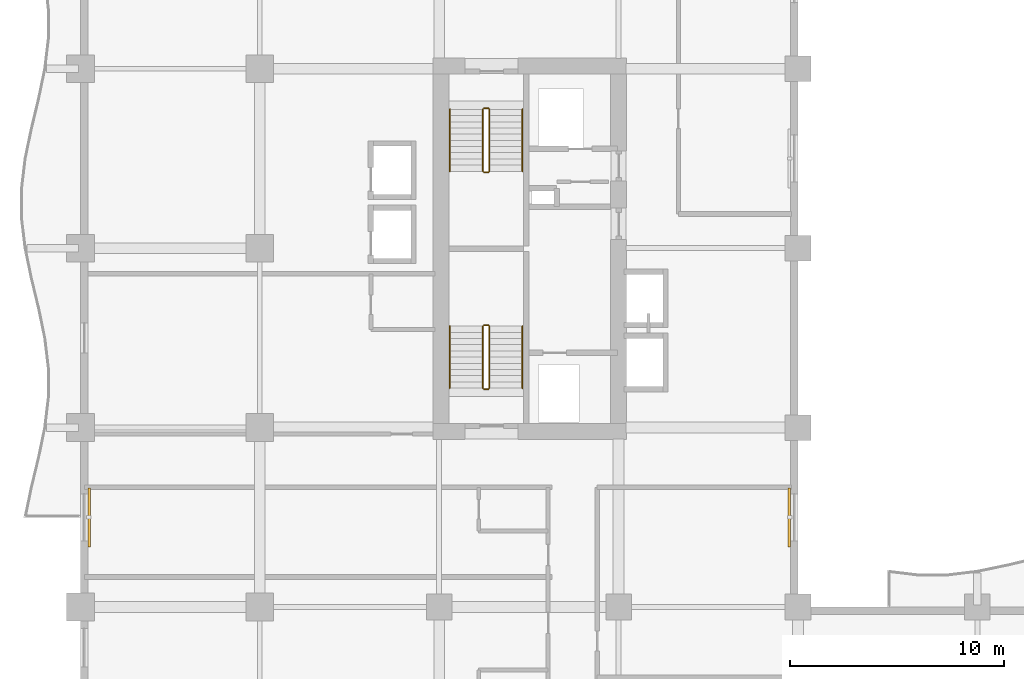
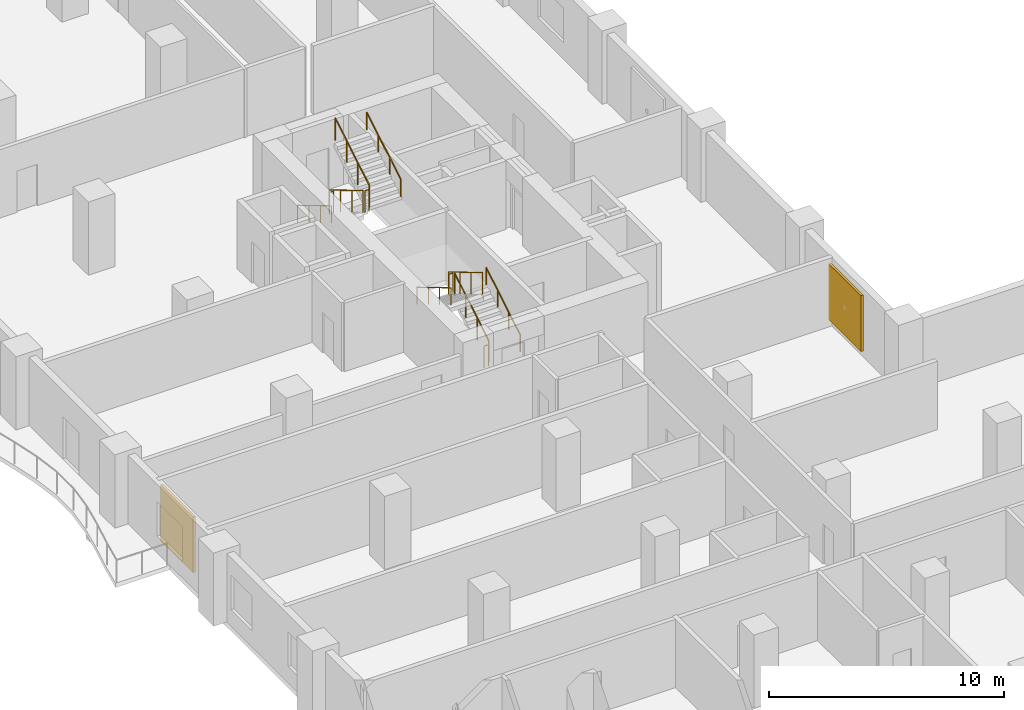
# One storey, part 17 of 18: 12 railings, 2 shading devices.
"""IFC4 building model written with IfcOpenShell, lengths in metres."""

import ifcopenshell
import ifcopenshell.guid

model = None  # the IFC model being written
_history = None  # IfcOwnerHistory: only IFC2X3 demands one
_inside = {}  # id of a spatial element -> (the spatial element, [elements in it])
_under = {}  # id of a project, library or spatial element -> (it, [spatial elements below it])
_declared = {}  # id of a project -> (the project, [libraries it declares])
_typed = {}  # id of a type object -> (the type object, [elements of that type])
_made_of = {}  # id of a material, layer set ... -> (it, [elements and type objects made of it])


def new_model(schema):
    """Start an empty IFC model of exactly this schema.

    Asked for "IFC4X3", IfcOpenShell would pick the latest addendum, in which some entities
    have other attributes; the version numbers below select the first issue.
    IFC2X3 requires an IfcOwnerHistory on every rooted entity: one is made here for all.
    """
    global model, _history
    if schema == "IFC4X3":
        model = ifcopenshell.file(schema_version=(4, 3, 0, 0))
    else:
        model = ifcopenshell.file(schema=schema)
    _inside.clear()
    _under.clear()
    _declared.clear()
    _typed.clear()
    _made_of.clear()
    _history = None
    if model.schema == "IFC2X3":
        org = make("IfcOrganization", Name="unknown")
        user = make(
            "IfcPersonAndOrganization",
            ThePerson=make("IfcPerson", FamilyName="unknown"),
            TheOrganization=org,
        )
        app = make(
            "IfcApplication",
            ApplicationDeveloper=org,
            Version="unknown",
            ApplicationFullName="unknown",
            ApplicationIdentifier="unknown",
        )
        _history = make(
            "IfcOwnerHistory",
            OwningUser=user,
            OwningApplication=app,
            ChangeAction="ADDED",
            CreationDate=0,
        )
    return model


def make(cls, **values):
    """One entity of the class cls with the attributes given. An attribute that is None is left unset."""
    return model.create_entity(
        cls, **{name: value for name, value in values.items() if value is not None}
    )


def rooted(cls, **values):
    """An entity with a GlobalId (a new one), such as an element, a storey or a relation."""
    return make(cls, GlobalId=ifcopenshell.guid.new(), OwnerHistory=_history, **values)


def si_unit(unit_type, name, prefix=None):
    """IfcSIUnit, for example si_unit("LENGTHUNIT", "METRE", prefix="MILLI")."""
    return make("IfcSIUnit", UnitType=unit_type, Prefix=prefix, Name=name)


def assignment(units):
    """IfcUnitAssignment: the units of a project."""
    return None if units is None else make("IfcUnitAssignment", Units=units)


def point(xyz):
    """IfcCartesianPoint."""
    return None if xyz is None else make("IfcCartesianPoint", Coordinates=xyz)


def direction(xyz):
    """IfcDirection."""
    return None if xyz is None else make("IfcDirection", DirectionRatios=xyz)


def frame(location, z_axis=None, x_axis=None):
    """IfcAxis2Placement3D, a coordinate frame: its origin and axes. An axis left out is left unset."""
    return make(
        "IfcAxis2Placement3D",
        Location=point(location),
        Axis=direction(z_axis),
        RefDirection=direction(x_axis),
    )


def frame_2d(location, x_axis=None):
    """IfcAxis2Placement2D, a coordinate frame in the plane: its origin and x axis."""
    return make(
        "IfcAxis2Placement2D", Location=point(location), RefDirection=direction(x_axis)
    )


def origin():
    """The frame at (0, 0, 0) with its axes left unset."""
    return frame((0.0, 0.0, 0.0))


def origin_2d():
    """The frame at (0, 0) in the plane with its x axis left unset."""
    return frame_2d((0.0, 0.0))


def place(relative_to, where):
    """IfcLocalPlacement: puts the frame where relative to a parent placement (None: the world)."""
    return make(
        "IfcLocalPlacement", PlacementRelTo=relative_to, RelativePlacement=where
    )


def context(
    kind, dimensions, precision=None, world=None, true_north=None, identifier=None
):
    """IfcGeometricRepresentationContext, for example the 3D "Model" context."""
    return make(
        "IfcGeometricRepresentationContext",
        ContextIdentifier=identifier,
        ContextType=kind,
        CoordinateSpaceDimension=dimensions,
        Precision=precision,
        WorldCoordinateSystem=world,
        TrueNorth=true_north,
    )


def subcontext(parent, identifier, kind, view, scale=None):
    """IfcGeometricRepresentationSubContext, for example "Body" below "Model"."""
    return make(
        "IfcGeometricRepresentationSubContext",
        ContextIdentifier=identifier,
        ContextType=kind,
        ParentContext=parent,
        TargetScale=scale,
        TargetView=view,
    )


def project(units=None, contexts=None):
    """IfcProject with its units and contexts."""
    return rooted(
        "IfcProject",
        Name="project",
        RepresentationContexts=contexts,
        UnitsInContext=assignment(units),
    )


def spatial(cls, under=None, at=None, **own):
    """A site, building, storey or space (cls), placed at a placement, below another one or the project."""
    s = rooted(cls, ObjectPlacement=at, **own)
    if under is not None:
        _under.setdefault(under.id(), (under, []))[1].append(s)
    return s


def profile(cls, at=None, kind="AREA", **sizes):
    """A parametric profile (cls). Its sizes go by their IFC names, for example OverallWidth=200.0."""
    return make(cls, ProfileType=kind, Position=at, **sizes)


def rectangle(**sizes):
    """IfcRectangleProfileDef."""
    return profile("IfcRectangleProfileDef", **sizes)


def circle(**sizes):
    """IfcCircleProfileDef."""
    return profile("IfcCircleProfileDef", **sizes)


def extrude(swept, where, along, depth):
    """IfcExtrudedAreaSolid: the profile swept, set in the frame where, extruded along a direction by depth."""
    return make(
        "IfcExtrudedAreaSolid",
        SweptArea=swept,
        Position=where,
        ExtrudedDirection=direction(along),
        Depth=depth,
    )


def shape(context_of_items, identifier, shape_type, items):
    """IfcShapeRepresentation: the items that make up one representation, for example the "Body"."""
    return make(
        "IfcShapeRepresentation",
        ContextOfItems=context_of_items,
        RepresentationIdentifier=identifier,
        RepresentationType=shape_type,
        Items=items,
    )


def material(Name=None, Category=None):
    """IfcMaterial."""
    return make("IfcMaterial", Name=Name, Category=Category)


def layer(
    of_material, thickness, ventilated=None, Name=None, Category=None, Priority=None
):
    """IfcMaterialLayer: one layer of a wall or slab, of a material (None: an air gap)."""
    return make(
        "IfcMaterialLayer",
        Material=of_material,
        LayerThickness=thickness,
        IsVentilated=ventilated,
        Name=Name,
        Category=Category,
        Priority=Priority,
    )


def layer_set(layers, Name=None):
    """IfcMaterialLayerSet."""
    return make("IfcMaterialLayerSet", MaterialLayers=layers, LayerSetName=Name)


def made_of(thing, what):
    """Note that an element or type object is made of a material, layer set ...; save() writes the relation."""
    if what is not None:
        _made_of.setdefault(what.id(), (what, []))[1].append(thing)
    return thing


def type_object(cls, material=None, **own):
    """A type object (cls), such as IfcWallType, which elements share."""
    return made_of(rooted(cls, **own), material)


def element(
    cls,
    number,
    at=None,
    inside=None,
    cuts=None,
    type_object=None,
    material=None,
    context=None,
    identifier="Body",
    shape_type=None,
    held_by="IfcProductDefinitionShape",
    body=None,
    shapes=None,
    **own,
):
    """One element of the class cls, such as IfcWall. Its Tag is "e" and its number.

    at: its placement. inside: the storey or other place that contains it. cuts: it is an
    opening in that element (IfcRelVoidsElement). A single representation is given by context,
    identifier, shape_type and body (its items); several are given by shapes. held_by: the class
    of the entity that holds the representations. save() writes the other relations.
    """
    e = rooted(cls, Tag="e%d" % number, ObjectPlacement=at, **own)
    if body is not None:
        shapes = [shape(context, identifier, shape_type, body)]
    if shapes is not None:
        e.Representation = make(held_by, Representations=shapes)
    if inside is not None:
        _inside.setdefault(inside.id(), (inside, []))[1].append(e)
    if cuts is not None:
        rooted(
            "IfcRelVoidsElement", RelatingBuildingElement=cuts, RelatedOpeningElement=e
        )
    if type_object is not None:
        _typed.setdefault(type_object.id(), (type_object, []))[1].append(e)
    return made_of(e, material)


def aggregate(whole, parts):
    """IfcRelAggregates: a whole, such as a stair, and the parts it consists of."""
    return rooted("IfcRelAggregates", RelatingObject=whole, RelatedObjects=parts)


def save(model, path):
    """Write the relations noted so far, then the file.

    IfcRelAggregates (storeys below a building ...), IfcRelContainedInSpatialStructure (elements
    in a storey), IfcRelDefinesByType, IfcRelAssociatesMaterial and IfcRelDeclares: one each for
    every whole, place, type object, material and project.
    """
    for whole, parts in _under.values():
        aggregate(whole, parts)
    for where, things in _inside.values():
        rooted(
            "IfcRelContainedInSpatialStructure",
            RelatedElements=things,
            RelatingStructure=where,
        )
    for kind, things in _typed.values():
        rooted("IfcRelDefinesByType", RelatedObjects=things, RelatingType=kind)
    for what, things in _made_of.values():
        rooted("IfcRelAssociatesMaterial", RelatedObjects=things, RelatingMaterial=what)
    for by, libraries in _declared.values():
        rooted("IfcRelDeclares", RelatingContext=by, RelatedDefinitions=libraries)
    model.write(path)


model = new_model("IFC4")

# Units and contexts
model_context = context("Model", 3, precision=1e-05, world=origin(), true_north=direction((0.0, 1.0)))
body_context = subcontext(model_context, "Body", "Model", "MODEL_VIEW")
ifc_project = project(units=[si_unit("LENGTHUNIT", "METRE"), si_unit("AREAUNIT", "SQUARE_METRE"), si_unit("VOLUMEUNIT", "CUBIC_METRE"), si_unit("PLANEANGLEUNIT", "RADIAN"), si_unit("MASSUNIT", "GRAM", prefix="KILO")], contexts=[model_context])

# Site, building, storey
site_placement = place(None, origin())
site = spatial("IfcSite", under=ifc_project, at=site_placement, CompositionType="ELEMENT")
building_placement = place(site_placement, origin())
building = spatial("IfcBuilding", under=site, at=building_placement, Name="Koriwani Terraces Tower", CompositionType="ELEMENT")
storey_placement = place(building_placement, frame((0.0, 0.0, 115.199951171875)))
storey = spatial("IfcBuildingStorey", under=building, at=storey_placement, Name="L27", CompositionType="ELEMENT", Elevation=115.199951171875)

# Railings
ifc_material_1 = material(Name="Steel ASTM A572 Grade 50", Category="steel")
railing_type_1 = type_object("IfcRailingType", Name="GUARD_STAIR_WELL_1120", PredefinedType="GUARDRAIL", material=ifc_material_1)
railing_1_placement = place(storey_placement, frame((19.14990234375, 43.85009765625, 0.1728515625)))
element("IfcRailing", 1, at=railing_1_placement, inside=storey, type_object=railing_type_1, Name="L27 ST-W1 stair guard 1", PredefinedType="GUARDRAIL", context=body_context, shape_type="SweptSolid", body=[
    extrude(circle(Radius=0.02392578125, at=origin_2d()), frame((0.0, 0.0, 1.1259765625), z_axis=(0.0, 0.859141464434, 0.511738159696), x_axis=(-1.0, 0.0, 0.0)), (0.0, 0.0, 1.0), 3.375244140625),
    extrude(circle(Radius=0.02099609375, at=origin_2d()), origin(), (0.0, 0.0, 1.0), 1.101806640625),
    extrude(circle(Radius=0.02099609375, at=origin_2d()), frame((0.0, 0.966552734375, 0.57568359375)), (0.0, 0.0, 1.0), 1.101806640625),
    extrude(circle(Radius=0.02099609375, at=origin_2d()), frame((0.0, 1.933349609375, 1.151611328125)), (0.0, 0.0, 1.0), 1.101806640625),
    extrude(circle(Radius=0.02099609375, at=origin_2d()), frame((0.0, 2.89990234375, 1.727294921875)), (0.0, 0.0, 1.0), 1.101806640625),
])
railing_2_placement = place(storey_placement, frame((19.10009765625, 46.800048828125, 1.900146484375)))
element("IfcRailing", 2, at=railing_2_placement, inside=storey, type_object=railing_type_1, Name="L27 ST-W1 stair guard 2", PredefinedType="GUARDRAIL", context=body_context, shape_type="SweptSolid", body=[
    extrude(circle(Radius=0.02392578125, at=origin_2d()), frame((0.0, 0.0, 1.1259765625), z_axis=(-1.0, 0.0, 0.0), x_axis=(0.0, -1.0, 0.0)), (0.0, 0.0, 1.0), 0.2001953125),
    extrude(circle(Radius=0.02099609375, at=origin_2d()), origin(), (0.0, 0.0, 1.0), 1.101806640625),
    extrude(circle(Radius=0.02099609375, at=origin_2d()), frame((-0.2001953125, 0.0, 0.0)), (0.0, 0.0, 1.0), 1.101806640625),
])
railing_3_placement = place(storey_placement, frame((18.85009765625, 46.75, 2.07275390625)))
element("IfcRailing", 3, at=railing_3_placement, inside=storey, type_object=railing_type_1, Name="L27 ST-W1 stair guard 3", PredefinedType="GUARDRAIL", context=body_context, shape_type="SweptSolid", body=[
    extrude(circle(Radius=0.02392578125, at=origin_2d()), frame((0.0, 0.0, 1.1259765625), z_axis=(0.0, -0.859141464434, 0.511738159696), x_axis=(1.0, 0.0, 0.0)), (0.0, 0.0, 1.0), 3.375244140625),
    extrude(circle(Radius=0.02099609375, at=origin_2d()), origin(), (0.0, 0.0, 1.0), 1.101806640625),
    extrude(circle(Radius=0.02099609375, at=origin_2d()), frame((0.0, -0.966552734375, 0.57568359375)), (0.0, 0.0, 1.0), 1.101806640625),
    extrude(circle(Radius=0.02099609375, at=origin_2d()), frame((0.0, -1.933349609375, 1.151611328125)), (0.0, 0.0, 1.0), 1.101806640625),
    extrude(circle(Radius=0.02099609375, at=origin_2d()), frame((0.0, -2.89990234375, 1.727294921875)), (0.0, 0.0, 1.0), 1.101806640625),
])
railing_4_placement = place(storey_placement, frame((19.10009765625, 43.800048828125, 0.0)))
element("IfcRailing", 4, at=railing_4_placement, inside=storey, type_object=railing_type_1, Name="L27 ST-W1 stair guard 4", PredefinedType="GUARDRAIL", context=body_context, shape_type="SweptSolid", body=[
    extrude(circle(Radius=0.02392578125, at=origin_2d()), frame((0.0, 0.0, 1.1259765625), z_axis=(-1.0, 0.0, 0.0), x_axis=(0.0, -1.0, 0.0)), (0.0, 0.0, 1.0), 0.2001953125),
    extrude(circle(Radius=0.02099609375, at=origin_2d()), origin(), (0.0, 0.0, 1.0), 1.101806640625),
    extrude(circle(Radius=0.02099609375, at=origin_2d()), frame((-0.2001953125, 0.0, 0.0)), (0.0, 0.0, 1.0), 1.101806640625),
])
railing_5_placement = place(storey_placement, frame((18.85009765625, 56.89990234375, 0.1728515625)))
element("IfcRailing", 5, at=railing_5_placement, inside=storey, type_object=railing_type_1, Name="L27 ST-W2 stair guard 1", PredefinedType="GUARDRAIL", context=body_context, shape_type="SweptSolid", body=[
    extrude(circle(Radius=0.02392578125, at=origin_2d()), frame((0.0, 0.0, 1.1259765625), z_axis=(0.0, -0.859141464434, 0.511738159696), x_axis=(1.0, 0.0, 0.0)), (0.0, 0.0, 1.0), 3.375244140625),
    extrude(circle(Radius=0.02099609375, at=origin_2d()), origin(), (0.0, 0.0, 1.0), 1.101806640625),
    extrude(circle(Radius=0.02099609375, at=origin_2d()), frame((0.0, -0.966552734375, 0.57568359375)), (0.0, 0.0, 1.0), 1.101806640625),
    extrude(circle(Radius=0.02099609375, at=origin_2d()), frame((0.0, -1.933349609375, 1.151611328125)), (0.0, 0.0, 1.0), 1.101806640625),
    extrude(circle(Radius=0.02099609375, at=origin_2d()), frame((0.0, -2.89990234375, 1.727294921875)), (0.0, 0.0, 1.0), 1.101806640625),
])
railing_6_placement = place(storey_placement, frame((18.89990234375, 53.949951171875, 1.900146484375)))
element("IfcRailing", 6, at=railing_6_placement, inside=storey, type_object=railing_type_1, Name="L27 ST-W2 stair guard 2", PredefinedType="GUARDRAIL", context=body_context, shape_type="SweptSolid", body=[
    extrude(circle(Radius=0.02392578125, at=origin_2d()), frame((0.0, 0.0, 1.1259765625), z_axis=(1.0, 0.0, 0.0), x_axis=(0.0, 1.0, 0.0)), (0.0, 0.0, 1.0), 0.2001953125),
    extrude(circle(Radius=0.02099609375, at=origin_2d()), origin(), (0.0, 0.0, 1.0), 1.101806640625),
    extrude(circle(Radius=0.02099609375, at=origin_2d()), frame((0.2001953125, 0.0, 0.0)), (0.0, 0.0, 1.0), 1.101806640625),
])
railing_7_placement = place(storey_placement, frame((19.14990234375, 54.0, 2.07275390625)))
element("IfcRailing", 7, at=railing_7_placement, inside=storey, type_object=railing_type_1, Name="L27 ST-W2 stair guard 3", PredefinedType="GUARDRAIL", context=body_context, shape_type="SweptSolid", body=[
    extrude(circle(Radius=0.02392578125, at=origin_2d()), frame((0.0, 0.0, 1.1259765625), z_axis=(0.0, 0.859141464434, 0.511738159696), x_axis=(-1.0, 0.0, 0.0)), (0.0, 0.0, 1.0), 3.375244140625),
    extrude(circle(Radius=0.02099609375, at=origin_2d()), origin(), (0.0, 0.0, 1.0), 1.101806640625),
    extrude(circle(Radius=0.02099609375, at=origin_2d()), frame((0.0, 0.966552734375, 0.57568359375)), (0.0, 0.0, 1.0), 1.101806640625),
    extrude(circle(Radius=0.02099609375, at=origin_2d()), frame((0.0, 1.933349609375, 1.151611328125)), (0.0, 0.0, 1.0), 1.101806640625),
    extrude(circle(Radius=0.02099609375, at=origin_2d()), frame((0.0, 2.89990234375, 1.727294921875)), (0.0, 0.0, 1.0), 1.101806640625),
])
railing_8_placement = place(storey_placement, frame((18.89990234375, 56.949951171875, 0.0)))
element("IfcRailing", 8, at=railing_8_placement, inside=storey, type_object=railing_type_1, Name="L27 ST-W2 stair guard 4", PredefinedType="GUARDRAIL", context=body_context, shape_type="SweptSolid", body=[
    extrude(circle(Radius=0.02392578125, at=origin_2d()), frame((0.0, 0.0, 1.1259765625), z_axis=(1.0, 0.0, 0.0), x_axis=(0.0, 1.0, 0.0)), (0.0, 0.0, 1.0), 0.2001953125),
    extrude(circle(Radius=0.02099609375, at=origin_2d()), origin(), (0.0, 0.0, 1.0), 1.101806640625),
    extrude(circle(Radius=0.02099609375, at=origin_2d()), frame((0.2001953125, 0.0, 0.0)), (0.0, 0.0, 1.0), 1.101806640625),
])
railing_type_2 = type_object("IfcRailingType", Name="HANDRAIL_STAIR_920", PredefinedType="HANDRAIL", material=ifc_material_1)
railing_9_placement = place(storey_placement, frame((20.699951171875, 43.85009765625, 0.1728515625)))
element("IfcRailing", 9, at=railing_9_placement, inside=storey, type_object=railing_type_2, Name="L27 ST-W1 stair handrail 1", PredefinedType="HANDRAIL", context=body_context, shape_type="SweptSolid", body=[
    extrude(circle(Radius=0.02392578125, at=origin_2d()), frame((0.0, 0.0, 0.8759765625), z_axis=(0.0, 0.859141464434, 0.511738159696), x_axis=(-1.0, 0.0, 0.0)), (0.0, 0.0, 1.0), 3.375244140625),
    extrude(circle(Radius=0.02099609375, at=origin_2d()), origin(), (0.0, 0.0, 1.0), 0.851806640625),
    extrude(circle(Radius=0.02099609375, at=origin_2d()), frame((0.0, 0.966552734375, 0.57568359375)), (0.0, 0.0, 1.0), 0.851806640625),
    extrude(circle(Radius=0.02099609375, at=origin_2d()), frame((0.0, 1.933349609375, 1.151611328125)), (0.0, 0.0, 1.0), 0.851806640625),
    extrude(circle(Radius=0.02099609375, at=origin_2d()), frame((0.0, 2.89990234375, 1.727294921875)), (0.0, 0.0, 1.0), 0.851806640625),
])
for number, where, name in (
    (10, (17.300048828125, 46.75, 2.07275390625), "L27 ST-W1 stair handrail 2"),
    (11, (17.300048828125, 56.89990234375, 0.1728515625), "L27 ST-W2 stair handrail 1"),
):
    element("IfcRailing", number, at=place(storey_placement, frame(where)), inside=storey, type_object=railing_type_2, Name=name, PredefinedType="HANDRAIL", context=body_context, shape_type="SweptSolid", body=[
        extrude(circle(Radius=0.02392578125, at=origin_2d()), frame((0.0, 0.0, 0.8759765625), z_axis=(0.0, -0.859141464434, 0.511738159696), x_axis=(1.0, 0.0, 0.0)), (0.0, 0.0, 1.0), 3.375244140625),
        extrude(circle(Radius=0.02099609375, at=origin_2d()), origin(), (0.0, 0.0, 1.0), 0.851806640625),
        extrude(circle(Radius=0.02099609375, at=origin_2d()), frame((0.0, -0.966552734375, 0.57568359375)), (0.0, 0.0, 1.0), 0.851806640625),
        extrude(circle(Radius=0.02099609375, at=origin_2d()), frame((0.0, -1.933349609375, 1.151611328125)), (0.0, 0.0, 1.0), 0.851806640625),
        extrude(circle(Radius=0.02099609375, at=origin_2d()), frame((0.0, -2.89990234375, 1.727294921875)), (0.0, 0.0, 1.0), 0.851806640625),
    ])
railing_10_placement = place(storey_placement, frame((20.699951171875, 54.0, 2.07275390625)))
element("IfcRailing", 12, at=railing_10_placement, inside=storey, type_object=railing_type_2, Name="L27 ST-W2 stair handrail 2", PredefinedType="HANDRAIL", context=body_context, shape_type="SweptSolid", body=[
    extrude(circle(Radius=0.02392578125, at=origin_2d()), frame((0.0, 0.0, 0.8759765625), z_axis=(0.0, 0.859141464434, 0.511738159696), x_axis=(-1.0, 0.0, 0.0)), (0.0, 0.0, 1.0), 3.375244140625),
    extrude(circle(Radius=0.02099609375, at=origin_2d()), origin(), (0.0, 0.0, 1.0), 0.851806640625),
    extrude(circle(Radius=0.02099609375, at=origin_2d()), frame((0.0, 0.966552734375, 0.57568359375)), (0.0, 0.0, 1.0), 0.851806640625),
    extrude(circle(Radius=0.02099609375, at=origin_2d()), frame((0.0, 1.933349609375, 1.151611328125)), (0.0, 0.0, 1.0), 0.851806640625),
    extrude(circle(Radius=0.02099609375, at=origin_2d()), frame((0.0, 2.89990234375, 1.727294921875)), (0.0, 0.0, 1.0), 0.851806640625),
])

# Shading devices
ifc_material_2 = material(Name="Extruded Terracotta Clay", Category="masonry")
ifc_layer = layer(ifc_material_2, 0.1201171875, Name="Extruded Terracotta Clay")
ifc_layer_set = layer_set([ifc_layer], Name="Extruded Terracotta Clay")
shading_device_type = type_object("IfcShadingDeviceType", Name="TERRACOTTA_BAGUETTE_SCREEN_2800", PredefinedType="USERDEFINED", material=ifc_layer_set)
for number, where, z_axis, x_axis, name in (
    (13, (0.405029296875, 37.800048828125, 0.3251953125), (0.0, 0.0, 1.0), (0.0, 1.0, 0.0), "L27 Extruded Terracotta Baguette Screen (W-12)"),
    (14, (33.195068359375, 37.800048828125, 0.3251953125), (0.0, 0.0, 1.0), (0.0, -1.0, 0.0), "L27 Extruded Terracotta Baguette Screen (NW_IN-2)"),
):
    element("IfcShadingDevice", number, at=place(storey_placement, frame(where, z_axis=z_axis, x_axis=x_axis)), inside=storey, type_object=shading_device_type, Name=name, ObjectType="BAGUETTE", PredefinedType="USERDEFINED", context=body_context, shape_type="SweptSolid", body=[
        extrude(rectangle(XDim=2.760009765625, YDim=0.1201171875, at=origin_2d()), origin(), (0.0, 0.0, 1.0), 2.89990234375),
    ])

save(model, "model.ifc")
